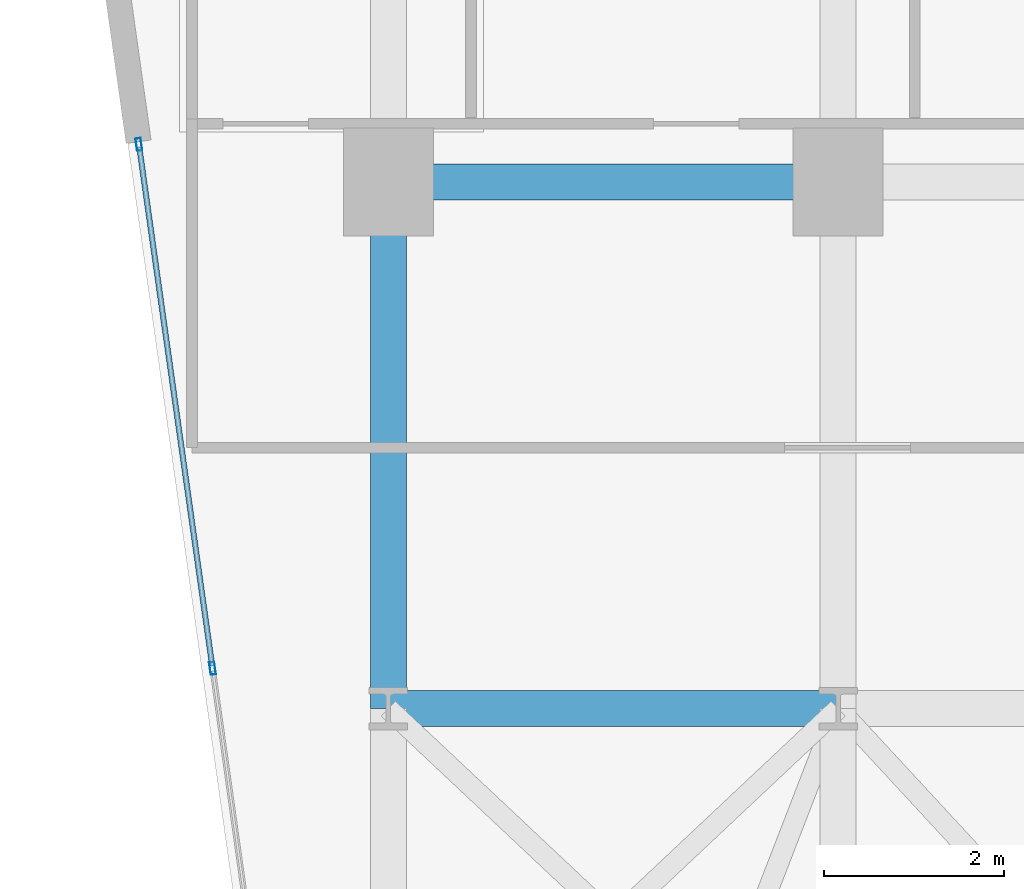
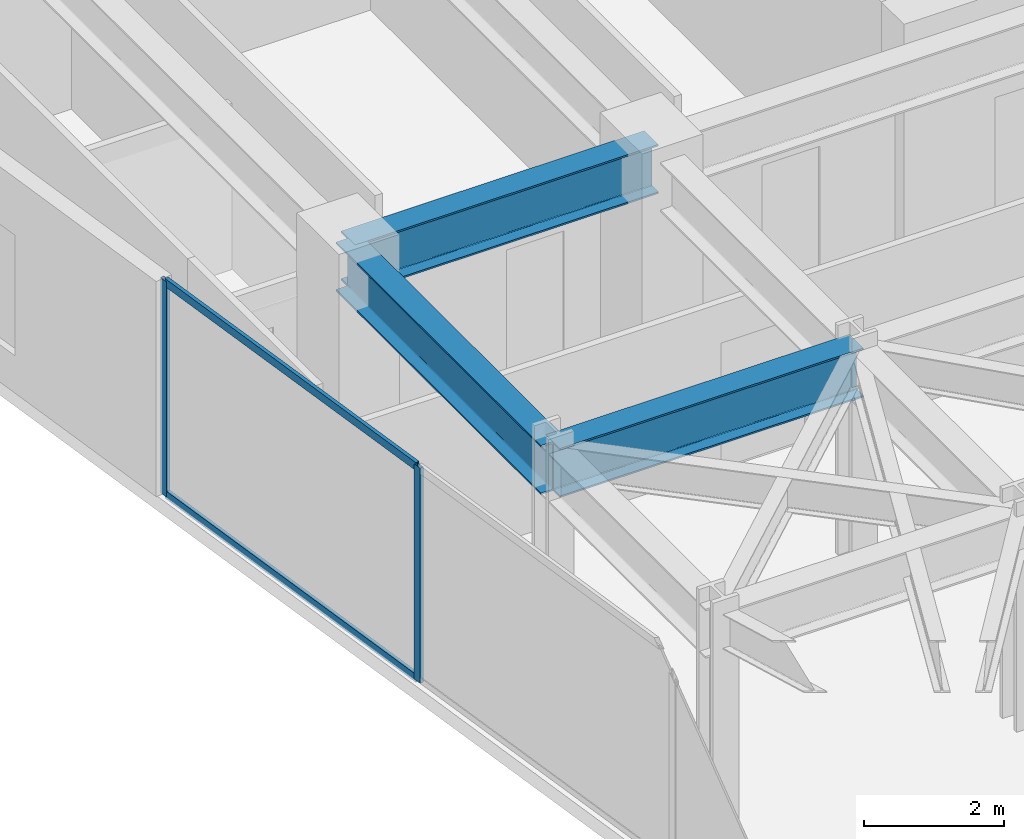
# One storey, part 11 of 26: 4 members, 3 beams, 1 element without a shape of its own.
"""IFC4 building model written with IfcOpenShell, lengths in metres."""

from ifc_helpers import new_model, si_unit, direction, frame, origin, origin_2d, place, context, subcontext, project, spatial, hollow_rectangle, i_section, extrude, material, layer, layer_set, material_profile, profile_set, type_object, element, aggregate, save


model = new_model("IFC4")

# Units and contexts
model_context = context("Model", 3, precision=1e-05, world=origin(), true_north=direction((0.0, 1.0)))
body_context = subcontext(model_context, "Body", "Model", "MODEL_VIEW")
ifc_project = project(units=[si_unit("LENGTHUNIT", "METRE"), si_unit("AREAUNIT", "SQUARE_METRE"), si_unit("VOLUMEUNIT", "CUBIC_METRE"), si_unit("PLANEANGLEUNIT", "RADIAN"), si_unit("MASSUNIT", "GRAM", prefix="KILO")], contexts=[model_context])

# Site, building, storey
site_placement = place(None, origin())
site = spatial("IfcSite", under=ifc_project, at=site_placement, CompositionType="ELEMENT")
building_placement = place(site_placement, origin())
building = spatial("IfcBuilding", under=site, at=building_placement, Name="Kravanh Interchange Tower", CompositionType="ELEMENT")
storey_placement = place(building_placement, frame((0.0, 0.0, 124.0)))
storey = spatial("IfcBuildingStorey", under=building, at=storey_placement, Name="L29", CompositionType="ELEMENT", Elevation=124.0)

# Curtain wall, members
ifc_material_1 = material(Name="Anodised Bronze Aluminium", Category="aluminium")
ifc_layer = layer(ifc_material_1, 0.179931640625)
ifc_layer_set = layer_set([ifc_layer], Name="Unitised Curtain Wall System CW-Z2 Mid Office")
curtain_wall_type = type_object("IfcCurtainWallType", Name="Unitised Curtain Wall System CW-Z2 Mid Office", PredefinedType="NOTDEFINED", material=ifc_layer_set)
curtain_wall_placement = place(storey_placement, origin())
curtain_wall = element("IfcCurtainWall", 1, at=curtain_wall_placement, inside=storey, type_object=curtain_wall_type, Name="L29 Unitised Curtain Wall CW-L29-01", PredefinedType="NOTDEFINED")
ifc_material_2 = material(Name="Anodised Bronze Aluminium", Category="aluminium")
ifc_material_profile_1 = material_profile(ifc_material_2, hollow_rectangle(XDim=0.06005859375, YDim=0.139892578125, WallThickness=0.00390625, at=origin_2d()), Name="ALU60X140X4")
ifc_profile_set_1 = profile_set([ifc_material_profile_1], Name="Anodised Bronze Aluminium")
member_type_1 = type_object("IfcMemberType", Name="Curtain Wall Mullion ALU60X140X4 Bronze", PredefinedType="MULLION", material=ifc_profile_set_1)
member_1_placement = place(storey_placement, frame((11.6474609375, 31.94775390625, 0.0), z_axis=(0.0, 0.0, 1.0), x_axis=(-0.990268103846, -0.13917285118, 0.0)))
member_1 = element("IfcMember", 2, at=member_1_placement, type_object=member_type_1, Name="CW-Z2 mullion 5", PredefinedType="MULLION", context=body_context, shape_type="SweptSolid", body=[
    extrude(hollow_rectangle(XDim=0.06005859375, YDim=0.139892578125, WallThickness=0.00390625, at=origin_2d()), origin(), (0.0, 0.0, 1.0), 3.75),
])
member_2_placement = place(storey_placement, frame((10.8291015625, 37.770263671875, 0.0), z_axis=(0.0, 0.0, 1.0), x_axis=(-0.990268103846, -0.13917285118, 0.0)))
member_2 = element("IfcMember", 3, at=member_2_placement, type_object=member_type_1, Name="CW-Z2 mullion 6", PredefinedType="MULLION", context=body_context, shape_type="SweptSolid", body=[
    extrude(hollow_rectangle(XDim=0.06005859375, YDim=0.139892578125, WallThickness=0.00390625, at=origin_2d()), origin(), (0.0, 0.0, 1.0), 3.75),
])
ifc_material_3 = material(Name="Anodised Bronze Aluminium", Category="aluminium")
ifc_material_profile_2 = material_profile(ifc_material_3, hollow_rectangle(XDim=0.06005859375, YDim=0.139892578125, WallThickness=0.00390625, at=origin_2d()), Name="ALU60X140X4")
ifc_profile_set_2 = profile_set([ifc_material_profile_2], Name="Anodised Bronze Aluminium")
member_type_2 = type_object("IfcMemberType", Name="Curtain Wall Transom ALU60X140X4 Bronze", PredefinedType="USERDEFINED", material=ifc_profile_set_2)
member_3_placement = place(storey_placement, frame((11.643310546875, 31.9775390625, 0.030029296875), z_axis=(-0.139195052528, 0.990264983402, 0.0), x_axis=(-0.990264983402, -0.139195052528, 0.0)))
member_3 = element("IfcMember", 4, at=member_3_placement, type_object=member_type_2, Name="CW-Z2 transom 5.1", ObjectType="TRANSOM", PredefinedType="USERDEFINED", context=body_context, shape_type="SweptSolid", body=[
    extrude(hollow_rectangle(XDim=0.06005859375, YDim=0.139892578125, WallThickness=0.00390625, at=origin_2d()), origin(), (0.0, 0.0, 1.0), 5.819580078125),
])
member_4_placement = place(storey_placement, frame((11.643310546875, 31.9775390625, 3.719970703125), z_axis=(-0.139195052528, 0.990264983402, 0.0), x_axis=(-0.990264983402, -0.139195052528, 0.0)))
member_4 = element("IfcMember", 5, at=member_4_placement, type_object=member_type_2, Name="CW-Z2 transom 5.2", ObjectType="TRANSOM", PredefinedType="USERDEFINED", context=body_context, shape_type="SweptSolid", body=[
    extrude(hollow_rectangle(XDim=0.06005859375, YDim=0.139892578125, WallThickness=0.00390625, at=origin_2d()), origin(), (0.0, 0.0, 1.0), 5.819580078125),
])
aggregate(curtain_wall, [member_1, member_2, member_3, member_4])

# Beams
ifc_material_4 = material(Name="Structural Steel S355", Category="steel")
ifc_material_profile_3 = material_profile(ifc_material_4, i_section(OverallWidth=0.39990234375, OverallDepth=0.85595703125, WebThickness=0.018310546875, FlangeThickness=0.029296875, FilletRadius=0.02490234375, at=origin_2d()), Name="W33X201")
ifc_profile_set_3 = profile_set([ifc_material_profile_3], Name="Structural Steel S355")
beam_type = type_object("IfcBeamType", Name="Floor Beam W33X201 Structural Steel S355", PredefinedType="BEAM", material=ifc_profile_set_3)
beam_1_placement = place(storey_placement, frame((18.60009765625, 37.35009765625, 3.322021484375), z_axis=(-1.0, 0.0, 0.0), x_axis=(0.0, -1.0, 0.0)))
element("IfcBeam", 6, at=beam_1_placement, inside=storey, type_object=beam_type, Name="L29 Primary Floor Girder 28", PredefinedType="BEAM", context=body_context, shape_type="SweptSolid", body=[
    extrude(i_section(OverallWidth=0.39990234375, OverallDepth=0.85595703125, WebThickness=0.018310546875, FlangeThickness=0.029296875, FilletRadius=0.02490234375, at=origin_2d()), origin(), (0.0, 0.0, 1.0), 5.0),
])
beam_2_placement = place(storey_placement, frame((13.60009765625, 37.35009765625, 3.322021484375), z_axis=(0.0, -1.0, 0.0), x_axis=(1.0, 0.0, 0.0)))
element("IfcBeam", 7, at=beam_2_placement, inside=storey, type_object=beam_type, Name="L29 Primary Floor Girder 32", PredefinedType="BEAM", context=body_context, shape_type="SweptSolid", body=[
    extrude(i_section(OverallWidth=0.39990234375, OverallDepth=0.85595703125, WebThickness=0.018310546875, FlangeThickness=0.029296875, FilletRadius=0.02490234375, at=origin_2d()), origin(), (0.0, 0.0, 1.0), 5.85009765625),
])
beam_3_placement = place(storey_placement, frame((13.60009765625, 31.5, 3.322021484375), z_axis=(1.0, 0.0, 0.0), x_axis=(0.0, 1.0, 0.0)))
element("IfcBeam", 8, at=beam_3_placement, inside=storey, type_object=beam_type, Name="L29 Primary Floor Girder 69", PredefinedType="BEAM", context=body_context, shape_type="SweptSolid", body=[
    extrude(i_section(OverallWidth=0.39990234375, OverallDepth=0.85595703125, WebThickness=0.018310546875, FlangeThickness=0.029296875, FilletRadius=0.02490234375, at=origin_2d()), origin(), (0.0, 0.0, 1.0), 5.0),
])

save(model, "model.ifc")
